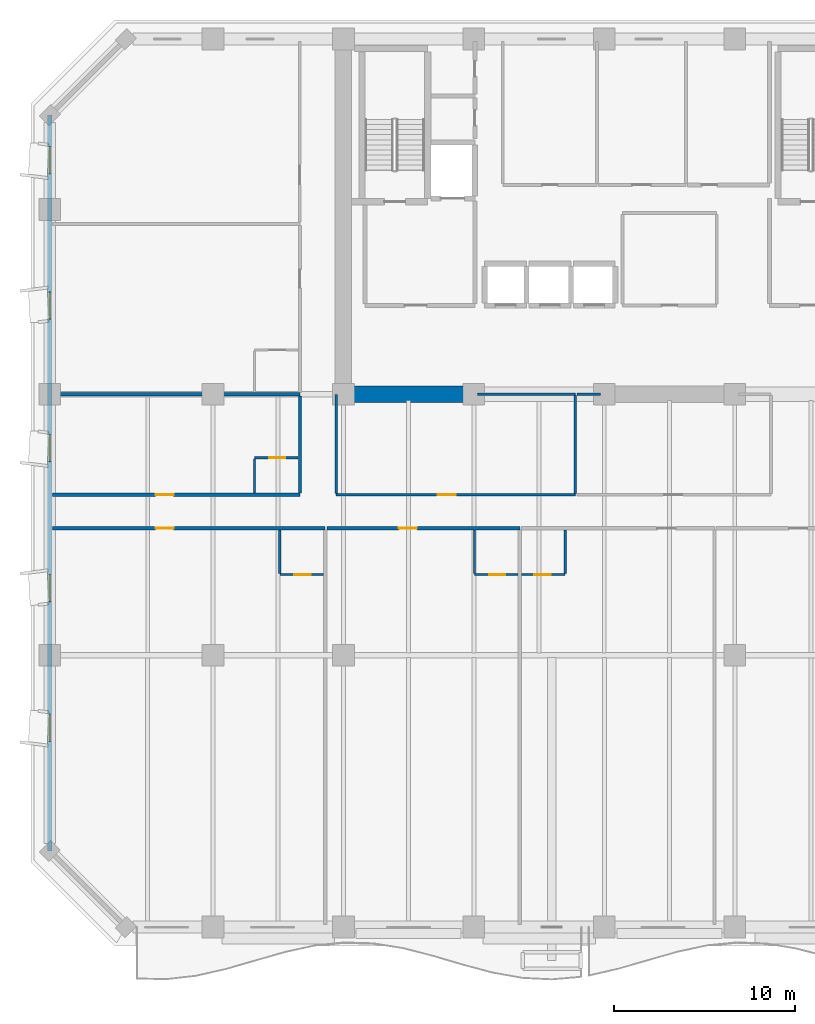
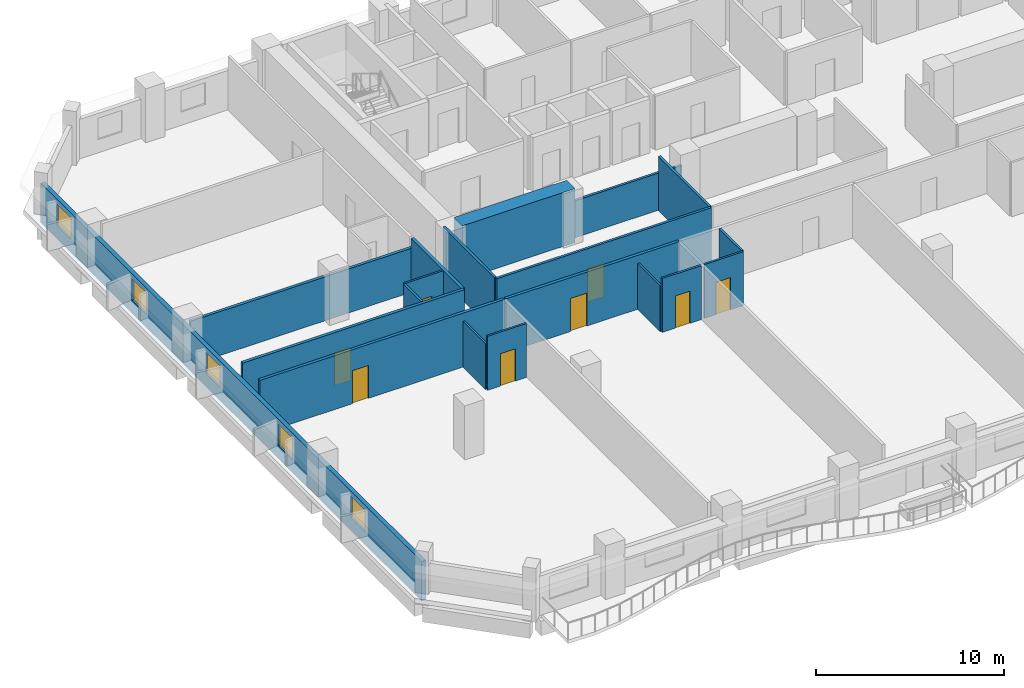
# One storey, part 4 of 15: 20 walls, 8 doors, 5 windows, 13 openings.
"""IFC4 building model written with IfcOpenShell, lengths in metres."""

from ifc_helpers import new_model, si_unit, direction, frame, frame_2d, origin, place, context, subcontext, project, spatial, rectangle, extrude, material, layer, layer_set, type_object, element, fill, save


model = new_model("IFC4")

# Units and contexts
model_context = context("Model", 3, precision=1e-05, world=origin(), true_north=direction((0.0, 1.0)))
body_context = subcontext(model_context, "Body", "Model", "MODEL_VIEW")
ifc_project = project(units=[si_unit("LENGTHUNIT", "METRE"), si_unit("AREAUNIT", "SQUARE_METRE"), si_unit("VOLUMEUNIT", "CUBIC_METRE"), si_unit("PLANEANGLEUNIT", "RADIAN"), si_unit("MASSUNIT", "GRAM", prefix="KILO")], contexts=[model_context])

# Site, building, storey
site_placement = place(None, origin())
site = spatial("IfcSite", under=ifc_project, at=site_placement, CompositionType="ELEMENT")
building_placement = place(site_placement, origin())
building = spatial("IfcBuilding", under=site, at=building_placement, Name="Kaelvorn Grand Hotel", CompositionType="ELEMENT")
storey_placement = place(building_placement, frame((0.0, 0.0, 96.800048828125)))
storey = spatial("IfcBuildingStorey", under=building, at=storey_placement, Name="L22", CompositionType="ELEMENT", Elevation=96.800048828125)

# Wall
ifc_material_1 = material(Name="Concrete C60/75", Category="concrete")
ifc_layer_1 = layer(ifc_material_1, 0.89990234375)
ifc_layer_set_1 = layer_set([ifc_layer_1], Name="Concrete C60/75")
wall_type_1 = type_object("IfcWallType", Name="WL-CORE-900-C60", PredefinedType="SHEAR", material=ifc_layer_set_1)
wall_1_placement = place(storey_placement, frame((16.655029296875, 29.39990234375, 0.0), z_axis=(0.0, 0.0, 1.0), x_axis=(1.0, 0.0, 0.0)))
element("IfcWall", 1, at=wall_1_placement, inside=storey, type_object=wall_type_1, Name="L22 Rear-Core Coupled Shear Pier S1", PredefinedType="SHEAR", context=body_context, shape_type="SweptSolid", body=[
    extrude(rectangle(XDim=6.945068359375, YDim=0.89990234375, at=frame_2d((3.47265625, 0.0))), origin(), (0.0, 0.0, 1.0), 3.510009765625),
])

# Wall, openings, windows
ifc_material_2 = material(Name="Concrete C40/50", Category="concrete")
ifc_layer_2 = layer(ifc_material_2, 0.260009765625)
ifc_layer_set_2 = layer_set([ifc_layer_2], Name="Concrete C40/50")
wall_type_2 = type_object("IfcWallType", Name="WL-EXT-260-C40", PredefinedType="SOLIDWALL", material=ifc_layer_set_2)
wall_2_placement = place(storey_placement, frame((0.0, 44.800048828125, 0.0), z_axis=(0.0, 0.0, 1.0), x_axis=(0.0, -1.0, 0.0)))
wall_2 = element("IfcWall", 2, at=wall_2_placement, inside=storey, type_object=wall_type_2, Name="L22 Exterior Architectural Concrete Wall 07", PredefinedType="SOLIDWALL", context=body_context, shape_type="SweptSolid", body=[
    extrude(rectangle(XDim=40.60009765625, YDim=0.260009765625, at=frame_2d((20.300048828125, 0.0))), origin(), (0.0, 0.0, 1.0), 2.56005859375),
])
opening_1_placement = place(wall_2_placement, frame((33.050048828125, 0.0, 0.85009765625)))
opening_1 = element("IfcOpeningElement", 3, at=opening_1_placement, cuts=wall_2, Name="Opening W10", PredefinedType="OPENING", context=body_context, shape_type="SweptSolid", body=[
    extrude(rectangle(XDim=1.5, YDim=1.39990234375, at=frame_2d((0.75, 0.699951171875))), frame((0.0, 0.14013671875, 0.0), z_axis=(0.0, -1.0, 0.0), x_axis=(1.0, 0.0, 0.0)), (0.0, 0.0, 1.0), 0.280029296875),
])
opening_2_placement = place(wall_2_placement, frame((25.35009765625, 0.0, 0.85009765625)))
opening_2 = element("IfcOpeningElement", 4, at=opening_2_placement, cuts=wall_2, Name="Opening W10", PredefinedType="OPENING", context=body_context, shape_type="SweptSolid", body=[
    extrude(rectangle(XDim=1.5, YDim=1.39990234375, at=frame_2d((0.75, 0.699951171875))), frame((0.0, 0.14013671875, 0.0), z_axis=(0.0, -1.0, 0.0), x_axis=(1.0, 0.0, 0.0)), (0.0, 0.0, 1.0), 0.280029296875),
])
opening_3_placement = place(wall_2_placement, frame((17.625, 0.0, 0.85009765625)))
opening_3 = element("IfcOpeningElement", 5, at=opening_3_placement, cuts=wall_2, Name="Opening W10", PredefinedType="OPENING", context=body_context, shape_type="SweptSolid", body=[
    extrude(rectangle(XDim=1.5, YDim=1.39990234375, at=frame_2d((0.75, 0.699951171875))), frame((0.0, 0.14013671875, 0.0), z_axis=(0.0, -1.0, 0.0), x_axis=(1.0, 0.0, 0.0)), (0.0, 0.0, 1.0), 0.280029296875),
])
opening_4_placement = place(wall_2_placement, frame((9.75, 0.0, 0.85009765625)))
opening_4 = element("IfcOpeningElement", 6, at=opening_4_placement, cuts=wall_2, Name="Opening W10", PredefinedType="OPENING", context=body_context, shape_type="SweptSolid", body=[
    extrude(rectangle(XDim=1.5, YDim=1.39990234375, at=frame_2d((0.75, 0.699951171875))), frame((0.0, 0.14013671875, 0.0), z_axis=(0.0, -1.0, 0.0), x_axis=(1.0, 0.0, 0.0)), (0.0, 0.0, 1.0), 0.280029296875),
])
opening_5_placement = place(wall_2_placement, frame((1.735107421875, 0.0, 0.85009765625)))
opening_5 = element("IfcOpeningElement", 7, at=opening_5_placement, cuts=wall_2, Name="Opening W10", PredefinedType="OPENING", context=body_context, shape_type="SweptSolid", body=[
    extrude(rectangle(XDim=1.5, YDim=1.39990234375, at=frame_2d((0.75, 0.699951171875))), frame((0.0, 0.14013671875, 0.0), z_axis=(0.0, -1.0, 0.0), x_axis=(1.0, 0.0, 0.0)), (0.0, 0.0, 1.0), 0.280029296875),
])
ifc_material_3 = material(Name="Laminated Low-E Glass", Category="glass")
window_type = type_object("IfcWindowType", Name="WIN-COR-1500x1400", PartitioningType="SINGLE_PANEL", PredefinedType="WINDOW", material=ifc_material_3)
window_1_placement = place(opening_1_placement, origin())
window_1 = element("IfcWindow", 8, at=window_1_placement, inside=storey, type_object=window_type, Name="L22 W Wing Tilted-Frame Ribbon Window W01", OverallHeight=1.39990234375, OverallWidth=1.5, PartitioningType="SINGLE_PANEL", PredefinedType="WINDOW", context=body_context, shape_type="SweptSolid", body=[
    extrude(rectangle(XDim=1.5, YDim=1.39990234375, at=frame_2d((0.75, 0.699951171875))), frame((0.0, 0.030029296875, 0.0), z_axis=(0.0, -1.0, 0.0), x_axis=(1.0, 0.0, 0.0)), (0.0, 0.0, 1.0), 0.06005859375),
])
fill(opening_1, window_1)
window_2_placement = place(opening_2_placement, origin())
window_2 = element("IfcWindow", 9, at=window_2_placement, inside=storey, type_object=window_type, Name="L22 W Wing Tilted-Frame Ribbon Window W02", OverallHeight=1.39990234375, OverallWidth=1.5, PartitioningType="SINGLE_PANEL", PredefinedType="WINDOW", context=body_context, shape_type="SweptSolid", body=[
    extrude(rectangle(XDim=1.5, YDim=1.39990234375, at=frame_2d((0.75, 0.699951171875))), frame((0.0, 0.030029296875, 0.0), z_axis=(0.0, -1.0, 0.0), x_axis=(1.0, 0.0, 0.0)), (0.0, 0.0, 1.0), 0.06005859375),
])
fill(opening_2, window_2)
window_3_placement = place(opening_3_placement, origin())
window_3 = element("IfcWindow", 10, at=window_3_placement, inside=storey, type_object=window_type, Name="L22 W Wing Tilted-Frame Ribbon Window W03", OverallHeight=1.39990234375, OverallWidth=1.5, PartitioningType="SINGLE_PANEL", PredefinedType="WINDOW", context=body_context, shape_type="SweptSolid", body=[
    extrude(rectangle(XDim=1.5, YDim=1.39990234375, at=frame_2d((0.75, 0.699951171875))), frame((0.0, 0.030029296875, 0.0), z_axis=(0.0, -1.0, 0.0), x_axis=(1.0, 0.0, 0.0)), (0.0, 0.0, 1.0), 0.06005859375),
])
fill(opening_3, window_3)
window_4_placement = place(opening_4_placement, origin())
window_4 = element("IfcWindow", 11, at=window_4_placement, inside=storey, type_object=window_type, Name="L22 W Wing Tilted-Frame Ribbon Window W04", OverallHeight=1.39990234375, OverallWidth=1.5, PartitioningType="SINGLE_PANEL", PredefinedType="WINDOW", context=body_context, shape_type="SweptSolid", body=[
    extrude(rectangle(XDim=1.5, YDim=1.39990234375, at=frame_2d((0.75, 0.699951171875))), frame((0.0, 0.030029296875, 0.0), z_axis=(0.0, -1.0, 0.0), x_axis=(1.0, 0.0, 0.0)), (0.0, 0.0, 1.0), 0.06005859375),
])
fill(opening_4, window_4)
window_5_placement = place(opening_5_placement, origin())
window_5 = element("IfcWindow", 12, at=window_5_placement, inside=storey, type_object=window_type, Name="L22 W Wing Tilted-Frame Ribbon Window W05", OverallHeight=1.39990234375, OverallWidth=1.5, PartitioningType="SINGLE_PANEL", PredefinedType="WINDOW", context=body_context, shape_type="SweptSolid", body=[
    extrude(rectangle(XDim=1.5, YDim=1.39990234375, at=frame_2d((0.75, 0.699951171875))), frame((0.0, 0.030029296875, 0.0), z_axis=(0.0, -1.0, 0.0), x_axis=(1.0, 0.0, 0.0)), (0.0, 0.0, 1.0), 0.06005859375),
])
fill(opening_5, window_5)

# Wall, opening, door
ifc_material_4 = material(Name="Moisture-Resistant Tile & Stud Board")
ifc_layer_3 = layer(ifc_material_4, 0.125)
ifc_layer_set_3 = layer_set([ifc_layer_3], Name="Moisture-Resistant Tile & Stud Board")
wall_type_3 = type_object("IfcWallType", Name="WL-PART-125-WET", PredefinedType="PARTITIONING", material=ifc_layer_set_3)
wall_3_placement = place(storey_placement, frame((12.69287109375, 19.449951171875, 0.0), z_axis=(0.0, 0.0, 1.0), x_axis=(1.0, 0.0, 0.0)))
wall_3 = element("IfcWall", 13, at=wall_3_placement, inside=storey, type_object=wall_type_3, Name="L22 En-suite Bathroom L22-01 S Partition", PredefinedType="PARTITIONING", context=body_context, shape_type="SweptSolid", body=[
    extrude(rectangle(XDim=2.405029296875, YDim=0.125, at=frame_2d((1.20263671875, 0.0))), origin(), (0.0, 0.0, 1.0), 3.510009765625),
])
opening_6_placement = place(wall_3_placement, frame((0.800048828125, 0.0, 0.0)))
opening_6 = element("IfcOpeningElement", 14, at=opening_6_placement, cuts=wall_3, Name="Opening DI4", PredefinedType="OPENING", context=body_context, shape_type="SweptSolid", body=[
    extrude(rectangle(XDim=0.89990234375, YDim=2.10009765625, at=frame_2d((0.449951171875, 1.050048828125))), frame((0.0, 0.072509765625, 0.0), z_axis=(0.0, -1.0, 0.0), x_axis=(1.0, 0.0, 0.0)), (0.0, 0.0, 1.0), 0.14501953125),
])
ifc_material_5 = material(Name="Timber Veneer Leaf", Category="wood")
door_type_1 = type_object("IfcDoorType", Name="DR-INT-BATH-900x2100", OperationType="NOTDEFINED", PredefinedType="DOOR", material=ifc_material_5)
door_1_placement = place(opening_6_placement, origin())
door_1 = element("IfcDoor", 15, at=door_1_placement, inside=storey, type_object=door_type_1, Name="L22 En-suite Bathroom L22-01 Door", OperationType="SINGLE_SWING_LEFT", OverallHeight=2.10009765625, OverallWidth=0.89990234375, PredefinedType="DOOR", context=body_context, shape_type="SweptSolid", body=[
    extrude(rectangle(XDim=0.89990234375, YDim=2.10009765625, at=frame_2d((0.449951171875, 1.050048828125))), frame((0.0, 0.02490234375, 0.0), z_axis=(0.0, -1.0, 0.0), x_axis=(1.0, 0.0, 0.0)), (0.0, 0.0, 1.0), 0.050048828125),
])
fill(opening_6, door_1)

# Wall
wall_4_placement = place(storey_placement, frame((12.69287109375, 19.517578125, 0.0), z_axis=(0.0, 0.0, 1.0), x_axis=(0.0, 1.0, 0.0)))
element("IfcWall", 16, at=wall_4_placement, inside=storey, type_object=wall_type_3, Name="L22 En-suite Bathroom L22-01 W Partition", PredefinedType="PARTITIONING", context=body_context, shape_type="SweptSolid", body=[
    extrude(rectangle(XDim=2.387451171875, YDim=0.125, at=frame_2d((1.19384765625, 0.0))), origin(), (0.0, 0.0, 1.0), 2.976806640625),
])

# Wall, opening, door
wall_5_placement = place(storey_placement, frame((23.435791015625, 19.449951171875, 0.0), z_axis=(0.0, 0.0, 1.0), x_axis=(1.0, 0.0, 0.0)))
wall_5 = element("IfcWall", 17, at=wall_5_placement, inside=storey, type_object=wall_type_3, Name="L22 En-suite Bathroom L22-02 S Partition", PredefinedType="PARTITIONING", context=body_context, shape_type="SweptSolid", body=[
    extrude(rectangle(XDim=2.405029296875, YDim=0.125, at=frame_2d((1.20263671875, 0.0))), origin(), (0.0, 0.0, 1.0), 3.510009765625),
])
opening_7_placement = place(wall_5_placement, frame((0.800048828125, 0.0, 0.0)))
opening_7 = element("IfcOpeningElement", 18, at=opening_7_placement, cuts=wall_5, Name="Opening DI4", PredefinedType="OPENING", context=body_context, shape_type="SweptSolid", body=[
    extrude(rectangle(XDim=0.89990234375, YDim=2.10009765625, at=frame_2d((0.449951171875, 1.050048828125))), frame((0.0, 0.072509765625, 0.0), z_axis=(0.0, -1.0, 0.0), x_axis=(1.0, 0.0, 0.0)), (0.0, 0.0, 1.0), 0.14501953125),
])
door_2_placement = place(opening_7_placement, origin())
door_2 = element("IfcDoor", 19, at=door_2_placement, inside=storey, type_object=door_type_1, Name="L22 En-suite Bathroom L22-02 Door", OperationType="SINGLE_SWING_LEFT", OverallHeight=2.10009765625, OverallWidth=0.89990234375, PredefinedType="DOOR", context=body_context, shape_type="SweptSolid", body=[
    extrude(rectangle(XDim=0.89990234375, YDim=2.10009765625, at=frame_2d((0.449951171875, 1.050048828125))), frame((0.0, 0.02490234375, 0.0), z_axis=(0.0, -1.0, 0.0), x_axis=(1.0, 0.0, 0.0)), (0.0, 0.0, 1.0), 0.050048828125),
])
fill(opening_7, door_2)

# Wall
wall_6_placement = place(storey_placement, frame((23.435791015625, 19.517578125, 0.0), z_axis=(0.0, 0.0, 1.0), x_axis=(0.0, 1.0, 0.0)))
element("IfcWall", 20, at=wall_6_placement, inside=storey, type_object=wall_type_3, Name="L22 En-suite Bathroom L22-02 W Partition", PredefinedType="PARTITIONING", context=body_context, shape_type="SweptSolid", body=[
    extrude(rectangle(XDim=2.387451171875, YDim=0.125, at=frame_2d((1.19384765625, 0.0))), origin(), (0.0, 0.0, 1.0), 2.976806640625),
])

# Wall, opening, door
wall_7_placement = place(storey_placement, frame((26.03076171875, 19.449951171875, 0.0), z_axis=(0.0, 0.0, 1.0), x_axis=(1.0, 0.0, 0.0)))
wall_7 = element("IfcWall", 21, at=wall_7_placement, inside=storey, type_object=wall_type_3, Name="L22 En-suite Bathroom L22-03 S Partition", PredefinedType="PARTITIONING", context=body_context, shape_type="SweptSolid", body=[
    extrude(rectangle(XDim=2.405029296875, YDim=0.125, at=frame_2d((1.20263671875, 0.0))), origin(), (0.0, 0.0, 1.0), 3.510009765625),
])
opening_8_placement = place(wall_7_placement, frame((0.705078125, 0.0, 0.0)))
opening_8 = element("IfcOpeningElement", 22, at=opening_8_placement, cuts=wall_7, Name="Opening DI4", PredefinedType="OPENING", context=body_context, shape_type="SweptSolid", body=[
    extrude(rectangle(XDim=0.89990234375, YDim=2.10009765625, at=frame_2d((0.449951171875, 1.050048828125))), frame((0.0, 0.072509765625, 0.0), z_axis=(0.0, -1.0, 0.0), x_axis=(1.0, 0.0, 0.0)), (0.0, 0.0, 1.0), 0.14501953125),
])
door_3_placement = place(opening_8_placement, origin())
door_3 = element("IfcDoor", 23, at=door_3_placement, inside=storey, type_object=door_type_1, Name="L22 En-suite Bathroom L22-03 Door", OperationType="SINGLE_SWING_LEFT", OverallHeight=2.10009765625, OverallWidth=0.89990234375, PredefinedType="DOOR", context=body_context, shape_type="SweptSolid", body=[
    extrude(rectangle(XDim=0.89990234375, YDim=2.10009765625, at=frame_2d((0.449951171875, 1.050048828125))), frame((0.0, 0.02490234375, 0.0), z_axis=(0.0, -1.0, 0.0), x_axis=(1.0, 0.0, 0.0)), (0.0, 0.0, 1.0), 0.050048828125),
])
fill(opening_8, door_3)

# Wall
wall_8_placement = place(storey_placement, frame((28.435791015625, 19.517578125, 0.0), z_axis=(0.0, 0.0, 1.0), x_axis=(0.0, 1.0, 0.0)))
element("IfcWall", 24, at=wall_8_placement, inside=storey, type_object=wall_type_3, Name="L22 En-suite Bathroom L22-03 E Partition", PredefinedType="PARTITIONING", context=body_context, shape_type="SweptSolid", body=[
    extrude(rectangle(XDim=2.387451171875, YDim=0.125, at=frame_2d((1.19384765625, 0.0))), origin(), (0.0, 0.0, 1.0), 3.510009765625),
])

# Wall, opening, door
wall_9_placement = place(storey_placement, frame((11.300048828125, 25.89990234375, 0.0), z_axis=(0.0, 0.0, 1.0), x_axis=(1.0, 0.0, 0.0)))
wall_9 = element("IfcWall", 25, at=wall_9_placement, inside=storey, type_object=wall_type_3, Name="L22 En-suite Bathroom L22-08 N Partition", PredefinedType="PARTITIONING", context=body_context, shape_type="SweptSolid", body=[
    extrude(rectangle(XDim=2.405029296875, YDim=0.125, at=frame_2d((1.20263671875, 0.0))), origin(), (0.0, 0.0, 1.0), 3.510009765625),
])
opening_9_placement = place(wall_9_placement, frame((0.800048828125, 0.0, 0.0)))
opening_9 = element("IfcOpeningElement", 26, at=opening_9_placement, cuts=wall_9, Name="Opening DI4", PredefinedType="OPENING", context=body_context, shape_type="SweptSolid", body=[
    extrude(rectangle(XDim=0.89990234375, YDim=2.10009765625, at=frame_2d((0.449951171875, 1.050048828125))), frame((0.0, 0.072509765625, 0.0), z_axis=(0.0, -1.0, 0.0), x_axis=(1.0, 0.0, 0.0)), (0.0, 0.0, 1.0), 0.14501953125),
])
door_4_placement = place(opening_9_placement, origin())
door_4 = element("IfcDoor", 27, at=door_4_placement, inside=storey, type_object=door_type_1, Name="L22 En-suite Bathroom L22-08 Door", OperationType="SINGLE_SWING_LEFT", OverallHeight=2.10009765625, OverallWidth=0.89990234375, PredefinedType="DOOR", context=body_context, shape_type="SweptSolid", body=[
    extrude(rectangle(XDim=0.89990234375, YDim=2.10009765625, at=frame_2d((0.449951171875, 1.050048828125))), frame((0.0, 0.02490234375, 0.0), z_axis=(0.0, -1.0, 0.0), x_axis=(1.0, 0.0, 0.0)), (0.0, 0.0, 1.0), 0.050048828125),
])
fill(opening_9, door_4)

# Wall
wall_10_placement = place(storey_placement, frame((11.300048828125, 23.945068359375, 0.0), z_axis=(0.0, 0.0, 1.0), x_axis=(0.0, 1.0, 0.0)))
element("IfcWall", 28, at=wall_10_placement, inside=storey, type_object=wall_type_3, Name="L22 En-suite Bathroom L22-08 W Partition", PredefinedType="PARTITIONING", context=body_context, shape_type="SweptSolid", body=[
    extrude(rectangle(XDim=1.887451171875, YDim=0.125, at=frame_2d((0.94384765625, 0.0))), origin(), (0.0, 0.0, 1.0), 3.510009765625),
])

# Wall, opening, door
ifc_material_6 = material(Name="Acoustic Gypsum & Stud Partition")
ifc_layer_4 = layer(ifc_material_6, 0.14990234375)
ifc_layer_set_4 = layer_set([ifc_layer_4], Name="Acoustic Gypsum & Stud Partition")
wall_type_4 = type_object("IfcWallType", Name="WL-PART-150-EI60", PredefinedType="PARTITIONING", material=ifc_layer_set_4)
wall_11_placement = place(storey_placement, frame((15.800048828125, 23.85009765625, 0.0), z_axis=(0.0, 0.0, 1.0), x_axis=(1.0, 0.0, 0.0)))
wall_11 = element("IfcWall", 29, at=wall_11_placement, inside=storey, type_object=wall_type_4, Name="L22 Club Billiards Lounge S Partition", PredefinedType="PARTITIONING", context=body_context, shape_type="SweptSolid", body=[
    extrude(rectangle(XDim=13.199951171875, YDim=0.14990234375, at=frame_2d((6.60009765625, 0.0))), origin(), (0.0, 0.0, 1.0), 3.510009765625),
])
opening_10_placement = place(wall_11_placement, frame((5.60009765625, 0.0, 0.0)))
opening_10 = element("IfcOpeningElement", 30, at=opening_10_placement, cuts=wall_11, Name="Opening DI3", PredefinedType="OPENING", context=body_context, shape_type="SweptSolid", body=[
    extrude(rectangle(XDim=1.0, YDim=2.14990234375, at=frame_2d((0.5, 1.074951171875))), frame((0.0, 0.0849609375, 0.0), z_axis=(0.0, -1.0, 0.0), x_axis=(1.0, 0.0, 0.0)), (0.0, 0.0, 1.0), 0.169921875),
])
ifc_material_7 = material(Name="Timber Veneer Fire Leaf", Category="wood")
door_type_2 = type_object("IfcDoorType", Name="DR-INT-GUEST-1000x2150", OperationType="NOTDEFINED", PredefinedType="DOOR", material=ifc_material_7)
door_5_placement = place(opening_10_placement, origin())
door_5 = element("IfcDoor", 31, at=door_5_placement, inside=storey, type_object=door_type_2, Name="L22 Club Billiards Lounge Door", OperationType="SINGLE_SWING_RIGHT", OverallHeight=2.14990234375, OverallWidth=1.0, PredefinedType="DOOR", context=body_context, shape_type="SweptSolid", body=[
    extrude(rectangle(XDim=1.0, YDim=2.14990234375, at=frame_2d((0.5, 1.074951171875))), frame((0.0, 0.02490234375, 0.0), z_axis=(0.0, -1.0, 0.0), x_axis=(1.0, 0.0, 0.0)), (0.0, 0.0, 1.0), 0.050048828125),
])
fill(opening_10, door_5)

# Walls
wall_12_placement = place(storey_placement, frame((23.610107421875, 29.39990234375, 0.0), z_axis=(0.0, 0.0, 1.0), x_axis=(1.0, 0.0, 0.0)))
element("IfcWall", 32, at=wall_12_placement, inside=storey, type_object=wall_type_4, Name="L22 Club Billiards Lounge N Partition", PredefinedType="PARTITIONING", context=body_context, shape_type="SweptSolid", body=[
    extrude(rectangle(XDim=5.389892578125, YDim=0.14990234375, at=frame_2d((2.69482421875, 0.0))), origin(), (0.0, 0.0, 1.0), 2.409912109375),
])
wall_13_placement = place(storey_placement, frame((15.800048828125, 23.929931640625, 0.0), z_axis=(0.0, 0.0, 1.0), x_axis=(0.0, 1.0, 0.0)))
element("IfcWall", 33, at=wall_13_placement, inside=storey, type_object=wall_type_4, Name="L22 Club Billiards Lounge W Partition", PredefinedType="PARTITIONING", context=body_context, shape_type="SweptSolid", body=[
    extrude(rectangle(XDim=5.4599609375, YDim=0.14990234375, at=frame_2d((2.72998046875, 0.0))), origin(), (0.0, 0.0, 1.0), 3.510009765625),
])
wall_14_placement = place(storey_placement, frame((29.0, 23.929931640625, 0.0), z_axis=(0.0, 0.0, 1.0), x_axis=(0.0, 1.0, 0.0)))
element("IfcWall", 34, at=wall_14_placement, inside=storey, type_object=wall_type_4, Name="L22 Club Billiards Lounge E Partition", PredefinedType="PARTITIONING", context=body_context, shape_type="SweptSolid", body=[
    extrude(rectangle(XDim=5.39013671875, YDim=0.14990234375, at=frame_2d((2.695068359375, 0.0))), origin(), (0.0, 0.0, 1.0), 3.510009765625),
])
wall_15_placement = place(storey_placement, frame((29.080078125, 29.39990234375, 0.0), z_axis=(0.0, 0.0, 1.0), x_axis=(1.0, 0.0, 0.0)))
element("IfcWall", 35, at=wall_15_placement, inside=storey, type_object=wall_type_4, Name="L22 Private Chef Kitchen N Partition (1)", PredefinedType="PARTITIONING", context=body_context, shape_type="SweptSolid", body=[
    extrude(rectangle(XDim=1.309814453125, YDim=0.14990234375, at=frame_2d((0.65478515625, 0.0))), origin(), (0.0, 0.0, 1.0), 2.409912109375),
])

# Wall, opening, door
ifc_layer_5 = layer(ifc_material_6, 0.179931640625)
ifc_layer_set_5 = layer_set([ifc_layer_5], Name="Acoustic Gypsum & Stud Partition")
wall_type_5 = type_object("IfcWallType", Name="WL-PART-180-EI60", PredefinedType="PARTITIONING", material=ifc_layer_set_5)
wall_16_placement = place(storey_placement, frame((0.14990234375, 22.0, 0.0), z_axis=(0.0, 0.0, 1.0), x_axis=(1.0, 0.0, 0.0)))
wall_16 = element("IfcWall", 36, at=wall_16_placement, inside=storey, type_object=wall_type_5, Name="L22 Presidential Sky Suite L22-01 N Partition", PredefinedType="PARTITIONING", context=body_context, shape_type="SweptSolid", body=[
    extrude(rectangle(XDim=15.04296875, YDim=0.179931640625, at=frame_2d((7.521484375, 0.0))), origin(), (0.0, 0.0, 1.0), 3.510009765625),
])
opening_11_placement = place(wall_16_placement, frame((5.68505859375, 0.0, 0.0)))
opening_11 = element("IfcOpeningElement", 37, at=opening_11_placement, cuts=wall_16, Name="Opening DI3", PredefinedType="OPENING", context=body_context, shape_type="SweptSolid", body=[
    extrude(rectangle(XDim=1.0, YDim=2.14990234375, at=frame_2d((0.5, 1.074951171875))), frame((0.0, 0.10009765625, 0.0), z_axis=(0.0, -1.0, 0.0), x_axis=(1.0, 0.0, 0.0)), (0.0, 0.0, 1.0), 0.199951171875),
])
door_6_placement = place(opening_11_placement, origin())
door_6 = element("IfcDoor", 38, at=door_6_placement, inside=storey, type_object=door_type_2, Name="L22 Presidential Sky Suite L22-01 Door", OperationType="SINGLE_SWING_RIGHT", OverallHeight=2.14990234375, OverallWidth=1.0, PredefinedType="DOOR", context=body_context, shape_type="SweptSolid", body=[
    extrude(rectangle(XDim=1.0, YDim=2.14990234375, at=frame_2d((0.5, 1.074951171875))), frame((0.0, 0.02490234375, 0.0), z_axis=(0.0, -1.0, 0.0), x_axis=(1.0, 0.0, 0.0)), (0.0, 0.0, 1.0), 0.050048828125),
])
fill(opening_11, door_6)

wall_17_placement = place(storey_placement, frame((15.287841796875, 22.0, 0.0), z_axis=(0.0, 0.0, 1.0), x_axis=(1.0, 0.0, 0.0)))
wall_17 = element("IfcWall", 39, at=wall_17_placement, inside=storey, type_object=wall_type_5, Name="L22 Deluxe Panoramic Suite L22-02 N Partition", PredefinedType="PARTITIONING", context=body_context, shape_type="SweptSolid", body=[
    extrude(rectangle(XDim=10.64794921875, YDim=0.179931640625, at=frame_2d((5.323974609375, 0.0))), origin(), (0.0, 0.0, 1.0), 3.510009765625),
])
opening_12_placement = place(wall_17_placement, frame((3.969970703125, 0.0, 0.0)))
opening_12 = element("IfcOpeningElement", 40, at=opening_12_placement, cuts=wall_17, Name="Opening DI3", PredefinedType="OPENING", context=body_context, shape_type="SweptSolid", body=[
    extrude(rectangle(XDim=1.0, YDim=2.14990234375, at=frame_2d((0.5, 1.074951171875))), frame((0.0, 0.10009765625, 0.0), z_axis=(0.0, -1.0, 0.0), x_axis=(1.0, 0.0, 0.0)), (0.0, 0.0, 1.0), 0.199951171875),
])
door_7_placement = place(opening_12_placement, origin())
door_7 = element("IfcDoor", 41, at=door_7_placement, inside=storey, type_object=door_type_2, Name="L22 Deluxe Panoramic Suite L22-02 Door", OperationType="SINGLE_SWING_RIGHT", OverallHeight=2.14990234375, OverallWidth=1.0, PredefinedType="DOOR", context=body_context, shape_type="SweptSolid", body=[
    extrude(rectangle(XDim=1.0, YDim=2.14990234375, at=frame_2d((0.5, 1.074951171875))), frame((0.0, 0.02490234375, 0.0), z_axis=(0.0, -1.0, 0.0), x_axis=(1.0, 0.0, 0.0)), (0.0, 0.0, 1.0), 0.050048828125),
])
fill(opening_12, door_7)

wall_18_placement = place(storey_placement, frame((0.14990234375, 23.85009765625, 0.0), z_axis=(0.0, 0.0, 1.0), x_axis=(1.0, 0.0, 0.0)))
wall_18 = element("IfcWall", 42, at=wall_18_placement, inside=storey, type_object=wall_type_5, Name="L22 West Chamfer Corner Suite L22-08 S Partition", PredefinedType="PARTITIONING", context=body_context, shape_type="SweptSolid", body=[
    extrude(rectangle(XDim=13.650146484375, YDim=0.179931640625, at=frame_2d((6.8251953125, 0.0))), origin(), (0.0, 0.0, 1.0), 3.510009765625),
])
opening_13_placement = place(wall_18_placement, frame((5.68505859375, 0.0, 0.0)))
opening_13 = element("IfcOpeningElement", 43, at=opening_13_placement, cuts=wall_18, Name="Opening DI3", PredefinedType="OPENING", context=body_context, shape_type="SweptSolid", body=[
    extrude(rectangle(XDim=1.0, YDim=2.14990234375, at=frame_2d((0.5, 1.074951171875))), frame((0.0, 0.10009765625, 0.0), z_axis=(0.0, -1.0, 0.0), x_axis=(1.0, 0.0, 0.0)), (0.0, 0.0, 1.0), 0.199951171875),
])
door_8_placement = place(opening_13_placement, origin())
door_8 = element("IfcDoor", 44, at=door_8_placement, inside=storey, type_object=door_type_2, Name="L22 West Chamfer Corner Suite L22-08 Door", OperationType="SINGLE_SWING_RIGHT", OverallHeight=2.14990234375, OverallWidth=1.0, PredefinedType="DOOR", context=body_context, shape_type="SweptSolid", body=[
    extrude(rectangle(XDim=1.0, YDim=2.14990234375, at=frame_2d((0.5, 1.074951171875))), frame((0.0, 0.02490234375, 0.0), z_axis=(0.0, -1.0, 0.0), x_axis=(1.0, 0.0, 0.0)), (0.0, 0.0, 1.0), 0.050048828125),
])
fill(opening_13, door_8)

# Walls
wall_19_placement = place(storey_placement, frame((0.14990234375, 29.39990234375, 0.0), z_axis=(0.0, 0.0, 1.0), x_axis=(1.0, 0.0, 0.0)))
element("IfcWall", 45, at=wall_19_placement, inside=storey, type_object=wall_type_5, Name="L22 West Chamfer Corner Suite L22-08 N Partition", PredefinedType="PARTITIONING", context=body_context, shape_type="SweptSolid", body=[
    extrude(rectangle(XDim=13.650146484375, YDim=0.179931640625, at=frame_2d((6.8251953125, 0.0))), origin(), (0.0, 0.0, 1.0), 2.85986328125),
])
wall_20_placement = place(storey_placement, frame((13.800048828125, 23.945068359375, 0.0), z_axis=(0.0, 0.0, 1.0), x_axis=(0.0, 1.0, 0.0)))
element("IfcWall", 46, at=wall_20_placement, inside=storey, type_object=wall_type_5, Name="L22 West Chamfer Corner Suite L22-08 E Partition", PredefinedType="PARTITIONING", context=body_context, shape_type="SweptSolid", body=[
    extrude(rectangle(XDim=5.35986328125, YDim=0.179931640625, at=frame_2d((2.679931640625, 0.0))), origin(), (0.0, 0.0, 1.0), 3.510009765625),
])

save(model, "model.ifc")
